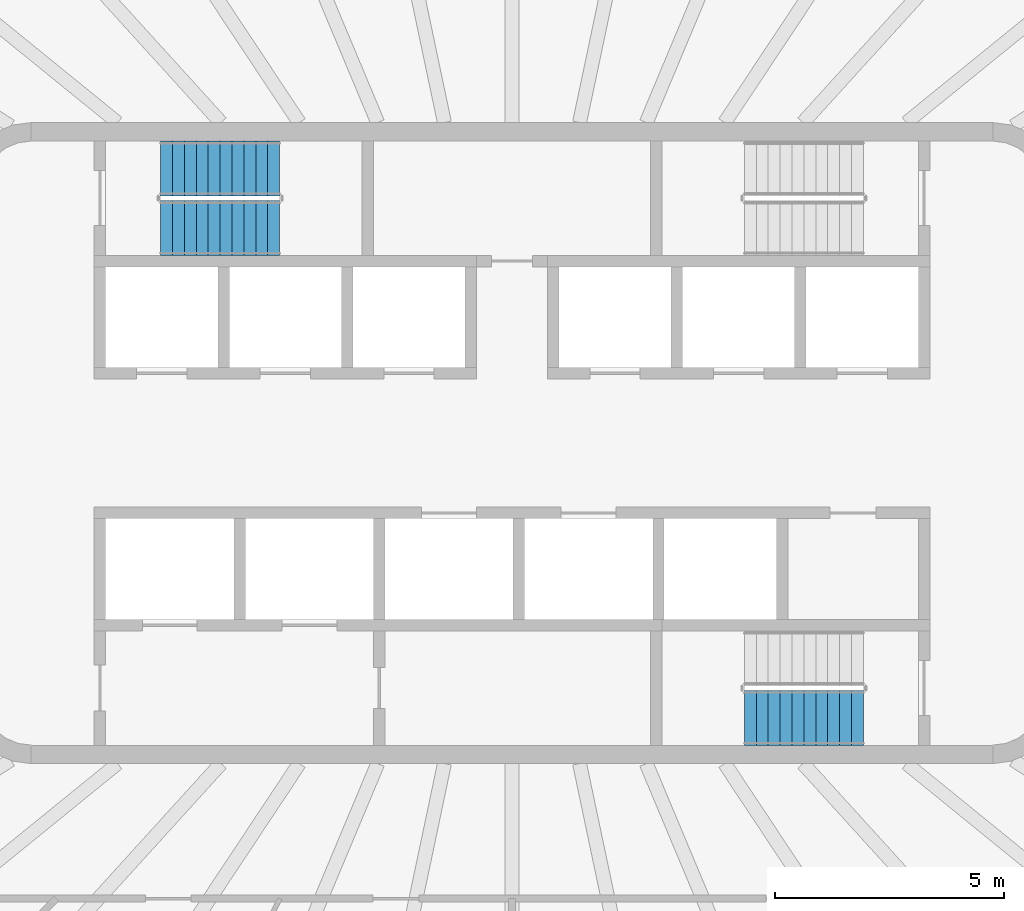
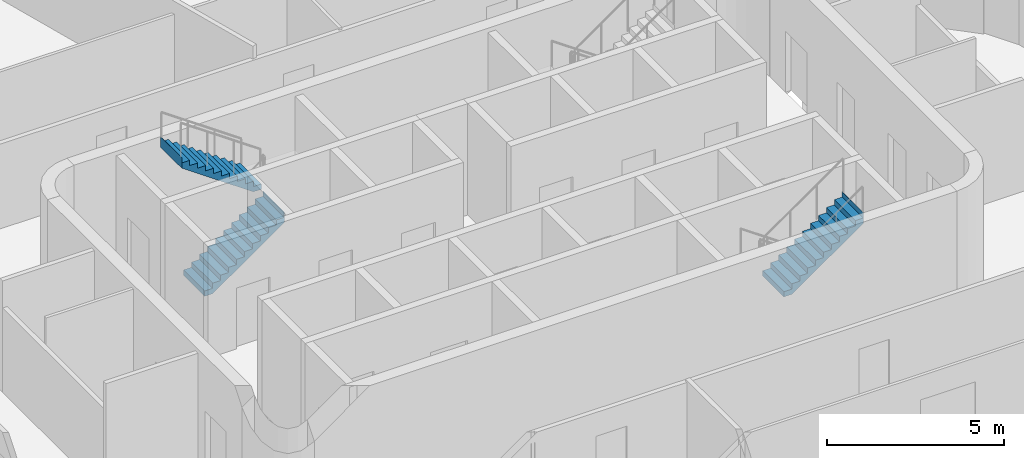
# One storey, part 15 of 22: 3 stair flights, 2 elements without a shape of their own.
"""IFC4 building model written with IfcOpenShell, lengths in metres."""

from ifc_helpers import new_model, si_unit, direction, frame, origin, place, context, subcontext, project, spatial, triangles, material, type_object, element, aggregate, save


model = new_model("IFC4")

# Units and contexts
model_context = context("Model", 3, precision=1e-05, world=origin(), true_north=direction((0.0, 1.0)))
body_context = subcontext(model_context, "Body", "Model", "MODEL_VIEW")
ifc_project = project(units=[si_unit("LENGTHUNIT", "METRE"), si_unit("AREAUNIT", "SQUARE_METRE"), si_unit("VOLUMEUNIT", "CUBIC_METRE"), si_unit("PLANEANGLEUNIT", "RADIAN"), si_unit("MASSUNIT", "GRAM", prefix="KILO")], contexts=[model_context])

# Site, building, storey
site_placement = place(None, origin())
site = spatial("IfcSite", under=ifc_project, at=site_placement, CompositionType="ELEMENT")
building_placement = place(site_placement, origin())
building = spatial("IfcBuilding", under=site, at=building_placement, Name="Sahrelin Media Tower", CompositionType="ELEMENT")
storey_placement = place(building_placement, frame((0.0, 0.0, 283.0)))
storey = spatial("IfcBuildingStorey", under=building, at=storey_placement, Name="L62", CompositionType="ELEMENT", Elevation=283.0)

# Stair, stair flights
ifc_material = material(Name="Concrete C40/50", Category="concrete")
stair_type = type_object("IfcStairType", Name="Exit stair 1200", PredefinedType="HALF_TURN_STAIR", material=ifc_material)
placement = place(storey_placement, origin())
stair_1 = element("IfcStair", 1, at=placement, inside=storey, type_object=stair_type, Name="L62 Exit stair ST1", PredefinedType="HALF_TURN_STAIR")
stair_flight_type = type_object("IfcStairFlightType", Name="Stair flight 1200", PredefinedType="STRAIGHT", material=ifc_material)
stair_flight_1_placement = place(storey_placement, frame((-7.675048828125, 4.699951171875, 0.0), z_axis=(0.0, 0.0, 1.0), x_axis=(1.0, 0.0, 0.0)))
stair_flight_1 = element("IfcStairFlight", 2, at=stair_flight_1_placement, type_object=stair_flight_type, Name="ST1 flight 1", NumberOfRisers=11, NumberOfTreads=10, PredefinedType="STRAIGHT", RiserHeight=0.181818182, TreadLength=0.26, context=body_context, shape_type="Tessellation", body=[
    triangles([(0.261474609375, 0.60009765625, 0.0), (0.261474609375, 0.300048828125, 0.0), (0.261474609375, 0.0, 0.0), (0.261474609375, -0.300048828125, 0.0), (0.261474609375, -0.60009765625, 0.0), (2.60009765625, 0.60009765625, 1.63525390625), (2.60009765625, 0.300048828125, 1.63525390625), (2.60009765625, 0.0, 1.63525390625), (2.60009765625, -0.300048828125, 1.63525390625), (2.60009765625, -0.60009765625, 1.63525390625), (2.60009765625, 0.60009765625, 2.0), (2.60009765625, 0.300048828125, 2.0), (2.60009765625, 0.0, 2.0), (2.60009765625, -0.300048828125, 2.0), (2.60009765625, -0.60009765625, 2.0), (2.597900390625, 0.60009765625, 2.0), (2.597900390625, 0.300048828125, 2.0), (2.597900390625, 0.0, 2.0), (2.597900390625, -0.300048828125, 2.0), (2.597900390625, -0.60009765625, 2.0), (2.597900390625, 0.60009765625, 1.818115234375), (2.597900390625, 0.300048828125, 1.818115234375), (2.597900390625, 0.0, 1.818115234375), (2.597900390625, -0.300048828125, 1.818115234375), (2.597900390625, -0.60009765625, 1.818115234375), (2.340087890625, 0.60009765625, 1.818115234375), (2.340087890625, 0.300048828125, 1.818115234375), (2.340087890625, 0.0, 1.818115234375), (2.340087890625, -0.300048828125, 1.818115234375), (2.340087890625, -0.60009765625, 1.818115234375), (2.340087890625, 0.60009765625, 1.636474609375), (2.340087890625, 0.300048828125, 1.636474609375), (2.340087890625, 0.0, 1.636474609375), (2.340087890625, -0.300048828125, 1.636474609375), (2.340087890625, -0.60009765625, 1.636474609375), (2.080078125, 0.60009765625, 1.636474609375), (2.080078125, 0.300048828125, 1.636474609375), (2.080078125, 0.0, 1.636474609375), (2.080078125, -0.300048828125, 1.636474609375), (2.080078125, -0.60009765625, 1.636474609375), (2.080078125, 0.60009765625, 1.45458984375), (2.080078125, 0.300048828125, 1.45458984375), (2.080078125, 0.0, 1.45458984375), (2.080078125, -0.300048828125, 1.45458984375), (2.080078125, -0.60009765625, 1.45458984375), (1.820068359375, 0.60009765625, 1.45458984375), (1.820068359375, 0.300048828125, 1.45458984375), (1.820068359375, 0.0, 1.45458984375), (1.820068359375, -0.300048828125, 1.45458984375), (1.820068359375, -0.60009765625, 1.45458984375), (1.820068359375, 0.60009765625, 1.272705078125), (1.820068359375, 0.300048828125, 1.272705078125), (1.820068359375, 0.0, 1.272705078125), (1.820068359375, -0.300048828125, 1.272705078125), (1.820068359375, -0.60009765625, 1.272705078125), (1.56005859375, 0.60009765625, 1.272705078125), (1.56005859375, 0.300048828125, 1.272705078125), (1.56005859375, 0.0, 1.272705078125), (1.56005859375, -0.300048828125, 1.272705078125), (1.56005859375, -0.60009765625, 1.272705078125), (1.56005859375, 0.60009765625, 1.0908203125), (1.56005859375, 0.300048828125, 1.0908203125), (1.56005859375, 0.0, 1.0908203125), (1.56005859375, -0.300048828125, 1.0908203125), (1.56005859375, -0.60009765625, 1.0908203125), (1.300048828125, 0.60009765625, 1.0908203125), (1.300048828125, 0.300048828125, 1.0908203125), (1.300048828125, 0.0, 1.0908203125), (1.300048828125, -0.300048828125, 1.0908203125), (1.300048828125, -0.60009765625, 1.0908203125), (1.300048828125, 0.60009765625, 0.9091796875), (1.300048828125, 0.300048828125, 0.9091796875), (1.300048828125, 0.0, 0.9091796875), (1.300048828125, -0.300048828125, 0.9091796875), (1.300048828125, -0.60009765625, 0.9091796875), (1.0400390625, 0.60009765625, 0.9091796875), (1.0400390625, 0.300048828125, 0.9091796875), (1.0400390625, 0.0, 0.9091796875), (1.0400390625, -0.300048828125, 0.9091796875), (1.0400390625, -0.60009765625, 0.9091796875), (1.0400390625, 0.60009765625, 0.727294921875), (1.0400390625, 0.300048828125, 0.727294921875), (1.0400390625, 0.0, 0.727294921875), (1.0400390625, -0.300048828125, 0.727294921875), (1.0400390625, -0.60009765625, 0.727294921875), (0.780029296875, 0.60009765625, 0.727294921875), (0.780029296875, 0.300048828125, 0.727294921875), (0.780029296875, 0.0, 0.727294921875), (0.780029296875, -0.300048828125, 0.727294921875), (0.780029296875, -0.60009765625, 0.727294921875), (0.780029296875, 0.60009765625, 0.54541015625), (0.780029296875, 0.300048828125, 0.54541015625), (0.780029296875, 0.0, 0.54541015625), (0.780029296875, -0.300048828125, 0.54541015625), (0.780029296875, -0.60009765625, 0.54541015625), (0.52001953125, 0.60009765625, 0.54541015625), (0.52001953125, 0.300048828125, 0.54541015625), (0.52001953125, 0.0, 0.54541015625), (0.52001953125, -0.300048828125, 0.54541015625), (0.52001953125, -0.60009765625, 0.54541015625), (0.52001953125, 0.60009765625, 0.363525390625), (0.52001953125, 0.300048828125, 0.363525390625), (0.52001953125, 0.0, 0.363525390625), (0.52001953125, -0.300048828125, 0.363525390625), (0.52001953125, -0.60009765625, 0.363525390625), (0.260009765625, 0.60009765625, 0.363525390625), (0.260009765625, 0.300048828125, 0.363525390625), (0.260009765625, 0.0, 0.363525390625), (0.260009765625, -0.300048828125, 0.363525390625), (0.260009765625, -0.60009765625, 0.363525390625), (0.260009765625, 0.60009765625, 0.181884765625), (0.260009765625, 0.300048828125, 0.181884765625), (0.260009765625, 0.0, 0.181884765625), (0.260009765625, -0.300048828125, 0.181884765625), (0.260009765625, -0.60009765625, 0.181884765625), (0.0, 0.60009765625, 0.181884765625), (0.0, 0.300048828125, 0.181884765625), (0.0, 0.0, 0.181884765625), (0.0, -0.300048828125, 0.181884765625), (0.0, -0.60009765625, 0.181884765625), (0.0, 0.60009765625, 0.0), (0.0, 0.300048828125, 0.0), (0.0, 0.0, 0.0), (0.0, -0.300048828125, 0.0), (0.0, -0.60009765625, 0.0)], [[1, 6, 7], [1, 7, 2], [2, 7, 8], [2, 8, 3], [3, 8, 9], [3, 9, 4], [4, 9, 10], [4, 10, 5], [6, 11, 12], [6, 12, 7], [7, 12, 13], [7, 13, 8], [8, 13, 14], [8, 14, 9], [9, 14, 15], [9, 15, 10], [11, 16, 17], [11, 17, 12], [12, 17, 18], [12, 18, 13], [13, 18, 19], [13, 19, 14], [14, 19, 20], [14, 20, 15], [16, 21, 22], [16, 22, 17], [17, 22, 23], [17, 23, 18], [18, 23, 24], [18, 24, 19], [19, 24, 25], [19, 25, 20], [21, 26, 27], [21, 27, 22], [22, 27, 28], [22, 28, 23], [23, 28, 29], [23, 29, 24], [24, 29, 30], [24, 30, 25], [26, 31, 32], [26, 32, 27], [27, 32, 33], [27, 33, 28], [28, 33, 34], [28, 34, 29], [29, 34, 35], [29, 35, 30], [31, 36, 37], [31, 37, 32], [32, 37, 38], [32, 38, 33], [33, 38, 39], [33, 39, 34], [34, 39, 40], [34, 40, 35], [36, 41, 42], [36, 42, 37], [37, 42, 43], [37, 43, 38], [38, 43, 44], [38, 44, 39], [39, 44, 45], [39, 45, 40], [41, 46, 47], [41, 47, 42], [42, 47, 48], [42, 48, 43], [43, 48, 49], [43, 49, 44], [44, 49, 50], [44, 50, 45], [46, 51, 52], [46, 52, 47], [47, 52, 53], [47, 53, 48], [48, 53, 54], [48, 54, 49], [49, 54, 55], [49, 55, 50], [51, 56, 57], [51, 57, 52], [52, 57, 58], [52, 58, 53], [53, 58, 59], [53, 59, 54], [54, 59, 60], [54, 60, 55], [56, 61, 62], [56, 62, 57], [57, 62, 63], [57, 63, 58], [58, 63, 64], [58, 64, 59], [59, 64, 65], [59, 65, 60], [61, 66, 67], [61, 67, 62], [62, 67, 68], [62, 68, 63], [63, 68, 69], [63, 69, 64], [64, 69, 70], [64, 70, 65], [66, 71, 72], [66, 72, 67], [67, 72, 73], [67, 73, 68], [68, 73, 74], [68, 74, 69], [69, 74, 75], [69, 75, 70], [71, 76, 77], [71, 77, 72], [72, 77, 78], [72, 78, 73], [73, 78, 79], [73, 79, 74], [74, 79, 80], [74, 80, 75], [76, 81, 82], [76, 82, 77], [77, 82, 83], [77, 83, 78], [78, 83, 84], [78, 84, 79], [79, 84, 85], [79, 85, 80], [81, 86, 87], [81, 87, 82], [82, 87, 88], [82, 88, 83], [83, 88, 89], [83, 89, 84], [84, 89, 90], [84, 90, 85], [86, 91, 92], [86, 92, 87], [87, 92, 93], [87, 93, 88], [88, 93, 94], [88, 94, 89], [89, 94, 95], [89, 95, 90], [91, 96, 97], [91, 97, 92], [92, 97, 98], [92, 98, 93], [93, 98, 99], [93, 99, 94], [94, 99, 100], [94, 100, 95], [96, 101, 102], [96, 102, 97], [97, 102, 103], [97, 103, 98], [98, 103, 104], [98, 104, 99], [99, 104, 105], [99, 105, 100], [101, 106, 107], [101, 107, 102], [102, 107, 108], [102, 108, 103], [103, 108, 109], [103, 109, 104], [104, 109, 110], [104, 110, 105], [106, 111, 112], [106, 112, 107], [107, 112, 113], [107, 113, 108], [108, 113, 114], [108, 114, 109], [109, 114, 115], [109, 115, 110], [111, 116, 117], [111, 117, 112], [112, 117, 118], [112, 118, 113], [113, 118, 119], [113, 119, 114], [114, 119, 120], [114, 120, 115], [116, 121, 122], [116, 122, 117], [117, 122, 123], [117, 123, 118], [118, 123, 124], [118, 124, 119], [119, 124, 125], [119, 125, 120], [121, 1, 2], [121, 2, 122], [122, 2, 3], [122, 3, 123], [123, 3, 4], [123, 4, 124], [124, 4, 5], [124, 5, 125], [115, 120, 125], [111, 121, 116], [115, 105, 110], [111, 106, 101], [105, 95, 100], [101, 96, 91], [95, 85, 90], [91, 86, 81], [85, 75, 80], [81, 76, 71], [75, 65, 70], [71, 66, 61], [65, 55, 60], [61, 56, 51], [55, 45, 50], [51, 46, 41], [45, 35, 40], [41, 36, 31], [35, 25, 30], [31, 26, 21], [25, 15, 20], [21, 16, 11], [125, 5, 115], [121, 111, 1], [25, 10, 15], [21, 11, 6], [105, 115, 5], [101, 1, 111], [35, 10, 25], [31, 21, 6], [95, 105, 5], [91, 1, 101], [45, 10, 35], [41, 31, 6], [85, 95, 5], [81, 1, 91], [55, 10, 45], [51, 41, 6], [75, 85, 5], [71, 1, 81], [65, 10, 55], [61, 51, 6], [5, 10, 75], [1, 71, 6], [75, 10, 65], [71, 61, 6]], closed=True),
])
stair_flight_2_placement = place(storey_placement, frame((-5.074951171875, 6.0, 2.0), z_axis=(0.0, 0.0, 1.0), x_axis=(-1.0, 0.0, 0.0)))
stair_flight_2 = element("IfcStairFlight", 3, at=stair_flight_2_placement, type_object=stair_flight_type, Name="ST1 flight 2", NumberOfRisers=11, NumberOfTreads=10, PredefinedType="STRAIGHT", RiserHeight=0.181818182, TreadLength=0.26, context=body_context, shape_type="Tessellation", body=[
    triangles([(0.261474609375, 0.60009765625, 0.0), (0.261474609375, 0.300048828125, 0.0), (0.261474609375, 0.0, 0.0), (0.261474609375, -0.300048828125, 0.0), (0.261474609375, -0.60009765625, 0.0), (2.60009765625, 0.60009765625, 1.63525390625), (2.60009765625, 0.300048828125, 1.63525390625), (2.60009765625, 0.0, 1.63525390625), (2.60009765625, -0.300048828125, 1.63525390625), (2.60009765625, -0.60009765625, 1.63525390625), (2.60009765625, 0.60009765625, 2.0), (2.60009765625, 0.300048828125, 2.0), (2.60009765625, 0.0, 2.0), (2.60009765625, -0.300048828125, 2.0), (2.60009765625, -0.60009765625, 2.0), (2.597900390625, 0.60009765625, 2.0), (2.597900390625, 0.300048828125, 2.0), (2.597900390625, 0.0, 2.0), (2.597900390625, -0.300048828125, 2.0), (2.597900390625, -0.60009765625, 2.0), (2.597900390625, 0.60009765625, 1.818115234375), (2.597900390625, 0.300048828125, 1.818115234375), (2.597900390625, 0.0, 1.818115234375), (2.597900390625, -0.300048828125, 1.818115234375), (2.597900390625, -0.60009765625, 1.818115234375), (2.340087890625, 0.60009765625, 1.818115234375), (2.340087890625, 0.300048828125, 1.818115234375), (2.340087890625, 0.0, 1.818115234375), (2.340087890625, -0.300048828125, 1.818115234375), (2.340087890625, -0.60009765625, 1.818115234375), (2.340087890625, 0.60009765625, 1.636474609375), (2.340087890625, 0.300048828125, 1.636474609375), (2.340087890625, 0.0, 1.636474609375), (2.340087890625, -0.300048828125, 1.636474609375), (2.340087890625, -0.60009765625, 1.636474609375), (2.080078125, 0.60009765625, 1.636474609375), (2.080078125, 0.300048828125, 1.636474609375), (2.080078125, 0.0, 1.636474609375), (2.080078125, -0.300048828125, 1.636474609375), (2.080078125, -0.60009765625, 1.636474609375), (2.080078125, 0.60009765625, 1.45458984375), (2.080078125, 0.300048828125, 1.45458984375), (2.080078125, 0.0, 1.45458984375), (2.080078125, -0.300048828125, 1.45458984375), (2.080078125, -0.60009765625, 1.45458984375), (1.820068359375, 0.60009765625, 1.45458984375), (1.820068359375, 0.300048828125, 1.45458984375), (1.820068359375, 0.0, 1.45458984375), (1.820068359375, -0.300048828125, 1.45458984375), (1.820068359375, -0.60009765625, 1.45458984375), (1.820068359375, 0.60009765625, 1.272705078125), (1.820068359375, 0.300048828125, 1.272705078125), (1.820068359375, 0.0, 1.272705078125), (1.820068359375, -0.300048828125, 1.272705078125), (1.820068359375, -0.60009765625, 1.272705078125), (1.56005859375, 0.60009765625, 1.272705078125), (1.56005859375, 0.300048828125, 1.272705078125), (1.56005859375, 0.0, 1.272705078125), (1.56005859375, -0.300048828125, 1.272705078125), (1.56005859375, -0.60009765625, 1.272705078125), (1.56005859375, 0.60009765625, 1.0908203125), (1.56005859375, 0.300048828125, 1.0908203125), (1.56005859375, 0.0, 1.0908203125), (1.56005859375, -0.300048828125, 1.0908203125), (1.56005859375, -0.60009765625, 1.0908203125), (1.300048828125, 0.60009765625, 1.0908203125), (1.300048828125, 0.300048828125, 1.0908203125), (1.300048828125, 0.0, 1.0908203125), (1.300048828125, -0.300048828125, 1.0908203125), (1.300048828125, -0.60009765625, 1.0908203125), (1.300048828125, 0.60009765625, 0.9091796875), (1.300048828125, 0.300048828125, 0.9091796875), (1.300048828125, 0.0, 0.9091796875), (1.300048828125, -0.300048828125, 0.9091796875), (1.300048828125, -0.60009765625, 0.9091796875), (1.0400390625, 0.60009765625, 0.9091796875), (1.0400390625, 0.300048828125, 0.9091796875), (1.0400390625, 0.0, 0.9091796875), (1.0400390625, -0.300048828125, 0.9091796875), (1.0400390625, -0.60009765625, 0.9091796875), (1.0400390625, 0.60009765625, 0.727294921875), (1.0400390625, 0.300048828125, 0.727294921875), (1.0400390625, 0.0, 0.727294921875), (1.0400390625, -0.300048828125, 0.727294921875), (1.0400390625, -0.60009765625, 0.727294921875), (0.780029296875, 0.60009765625, 0.727294921875), (0.780029296875, 0.300048828125, 0.727294921875), (0.780029296875, 0.0, 0.727294921875), (0.780029296875, -0.300048828125, 0.727294921875), (0.780029296875, -0.60009765625, 0.727294921875), (0.780029296875, 0.60009765625, 0.54541015625), (0.780029296875, 0.300048828125, 0.54541015625), (0.780029296875, 0.0, 0.54541015625), (0.780029296875, -0.300048828125, 0.54541015625), (0.780029296875, -0.60009765625, 0.54541015625), (0.52001953125, 0.60009765625, 0.54541015625), (0.52001953125, 0.300048828125, 0.54541015625), (0.52001953125, 0.0, 0.54541015625), (0.52001953125, -0.300048828125, 0.54541015625), (0.52001953125, -0.60009765625, 0.54541015625), (0.52001953125, 0.60009765625, 0.363525390625), (0.52001953125, 0.300048828125, 0.363525390625), (0.52001953125, 0.0, 0.363525390625), (0.52001953125, -0.300048828125, 0.363525390625), (0.52001953125, -0.60009765625, 0.363525390625), (0.260009765625, 0.60009765625, 0.363525390625), (0.260009765625, 0.300048828125, 0.363525390625), (0.260009765625, 0.0, 0.363525390625), (0.260009765625, -0.300048828125, 0.363525390625), (0.260009765625, -0.60009765625, 0.363525390625), (0.260009765625, 0.60009765625, 0.181884765625), (0.260009765625, 0.300048828125, 0.181884765625), (0.260009765625, 0.0, 0.181884765625), (0.260009765625, -0.300048828125, 0.181884765625), (0.260009765625, -0.60009765625, 0.181884765625), (0.0, 0.60009765625, 0.181884765625), (0.0, 0.300048828125, 0.181884765625), (0.0, 0.0, 0.181884765625), (0.0, -0.300048828125, 0.181884765625), (0.0, -0.60009765625, 0.181884765625), (0.0, 0.60009765625, 0.0), (0.0, 0.300048828125, 0.0), (0.0, 0.0, 0.0), (0.0, -0.300048828125, 0.0), (0.0, -0.60009765625, 0.0)], [[1, 6, 7], [1, 7, 2], [2, 7, 8], [2, 8, 3], [3, 8, 9], [3, 9, 4], [4, 9, 10], [4, 10, 5], [6, 11, 12], [6, 12, 7], [7, 12, 13], [7, 13, 8], [8, 13, 14], [8, 14, 9], [9, 14, 15], [9, 15, 10], [11, 16, 17], [11, 17, 12], [12, 17, 18], [12, 18, 13], [13, 18, 19], [13, 19, 14], [14, 19, 20], [14, 20, 15], [16, 21, 22], [16, 22, 17], [17, 22, 23], [17, 23, 18], [18, 23, 24], [18, 24, 19], [19, 24, 25], [19, 25, 20], [21, 26, 27], [21, 27, 22], [22, 27, 28], [22, 28, 23], [23, 28, 29], [23, 29, 24], [24, 29, 30], [24, 30, 25], [26, 31, 32], [26, 32, 27], [27, 32, 33], [27, 33, 28], [28, 33, 34], [28, 34, 29], [29, 34, 35], [29, 35, 30], [31, 36, 37], [31, 37, 32], [32, 37, 38], [32, 38, 33], [33, 38, 39], [33, 39, 34], [34, 39, 40], [34, 40, 35], [36, 41, 42], [36, 42, 37], [37, 42, 43], [37, 43, 38], [38, 43, 44], [38, 44, 39], [39, 44, 45], [39, 45, 40], [41, 46, 47], [41, 47, 42], [42, 47, 48], [42, 48, 43], [43, 48, 49], [43, 49, 44], [44, 49, 50], [44, 50, 45], [46, 51, 52], [46, 52, 47], [47, 52, 53], [47, 53, 48], [48, 53, 54], [48, 54, 49], [49, 54, 55], [49, 55, 50], [51, 56, 57], [51, 57, 52], [52, 57, 58], [52, 58, 53], [53, 58, 59], [53, 59, 54], [54, 59, 60], [54, 60, 55], [56, 61, 62], [56, 62, 57], [57, 62, 63], [57, 63, 58], [58, 63, 64], [58, 64, 59], [59, 64, 65], [59, 65, 60], [61, 66, 67], [61, 67, 62], [62, 67, 68], [62, 68, 63], [63, 68, 69], [63, 69, 64], [64, 69, 70], [64, 70, 65], [66, 71, 72], [66, 72, 67], [67, 72, 73], [67, 73, 68], [68, 73, 74], [68, 74, 69], [69, 74, 75], [69, 75, 70], [71, 76, 77], [71, 77, 72], [72, 77, 78], [72, 78, 73], [73, 78, 79], [73, 79, 74], [74, 79, 80], [74, 80, 75], [76, 81, 82], [76, 82, 77], [77, 82, 83], [77, 83, 78], [78, 83, 84], [78, 84, 79], [79, 84, 85], [79, 85, 80], [81, 86, 87], [81, 87, 82], [82, 87, 88], [82, 88, 83], [83, 88, 89], [83, 89, 84], [84, 89, 90], [84, 90, 85], [86, 91, 92], [86, 92, 87], [87, 92, 93], [87, 93, 88], [88, 93, 94], [88, 94, 89], [89, 94, 95], [89, 95, 90], [91, 96, 97], [91, 97, 92], [92, 97, 98], [92, 98, 93], [93, 98, 99], [93, 99, 94], [94, 99, 100], [94, 100, 95], [96, 101, 102], [96, 102, 97], [97, 102, 103], [97, 103, 98], [98, 103, 104], [98, 104, 99], [99, 104, 105], [99, 105, 100], [101, 106, 107], [101, 107, 102], [102, 107, 108], [102, 108, 103], [103, 108, 109], [103, 109, 104], [104, 109, 110], [104, 110, 105], [106, 111, 112], [106, 112, 107], [107, 112, 113], [107, 113, 108], [108, 113, 114], [108, 114, 109], [109, 114, 115], [109, 115, 110], [111, 116, 117], [111, 117, 112], [112, 117, 118], [112, 118, 113], [113, 118, 119], [113, 119, 114], [114, 119, 120], [114, 120, 115], [116, 121, 122], [116, 122, 117], [117, 122, 123], [117, 123, 118], [118, 123, 124], [118, 124, 119], [119, 124, 125], [119, 125, 120], [121, 1, 2], [121, 2, 122], [122, 2, 3], [122, 3, 123], [123, 3, 4], [123, 4, 124], [124, 4, 5], [124, 5, 125], [115, 120, 125], [111, 121, 116], [115, 105, 110], [111, 106, 101], [105, 95, 100], [101, 96, 91], [95, 85, 90], [91, 86, 81], [85, 75, 80], [81, 76, 71], [75, 65, 70], [71, 66, 61], [65, 55, 60], [61, 56, 51], [55, 45, 50], [51, 46, 41], [45, 35, 40], [41, 36, 31], [35, 25, 30], [31, 26, 21], [25, 15, 20], [21, 16, 11], [125, 5, 115], [121, 111, 1], [25, 10, 15], [21, 11, 6], [105, 115, 5], [101, 1, 111], [35, 10, 25], [31, 21, 6], [95, 105, 5], [91, 1, 101], [45, 10, 35], [41, 31, 6], [85, 95, 5], [81, 1, 91], [55, 10, 45], [51, 41, 6], [75, 85, 5], [71, 1, 81], [65, 10, 55], [61, 51, 6], [5, 10, 75], [1, 71, 6], [75, 10, 65], [71, 61, 6]], closed=True),
])
aggregate(stair_1, [stair_flight_1, stair_flight_2])

# Stair, stair flight
stair_2 = element("IfcStair", 4, at=placement, inside=storey, type_object=stair_type, Name="L62 Exit stair ST2", PredefinedType="HALF_TURN_STAIR")
stair_flight_3_placement = place(storey_placement, frame((5.074951171875, -6.0, 2.0), z_axis=(0.0, 0.0, 1.0), x_axis=(1.0, 0.0, 0.0)))
stair_flight_3 = element("IfcStairFlight", 5, at=stair_flight_3_placement, type_object=stair_flight_type, Name="ST2 flight 2", NumberOfRisers=11, NumberOfTreads=10, PredefinedType="STRAIGHT", RiserHeight=0.181818182, TreadLength=0.26, context=body_context, shape_type="Tessellation", body=[
    triangles([(0.261474609375, 0.60009765625, 0.0), (0.261474609375, 0.300048828125, 0.0), (0.261474609375, 0.0, 0.0), (0.261474609375, -0.300048828125, 0.0), (0.261474609375, -0.60009765625, 0.0), (2.60009765625, 0.60009765625, 1.63525390625), (2.60009765625, 0.300048828125, 1.63525390625), (2.60009765625, 0.0, 1.63525390625), (2.60009765625, -0.300048828125, 1.63525390625), (2.60009765625, -0.60009765625, 1.63525390625), (2.60009765625, 0.60009765625, 2.0), (2.60009765625, 0.300048828125, 2.0), (2.60009765625, 0.0, 2.0), (2.60009765625, -0.300048828125, 2.0), (2.60009765625, -0.60009765625, 2.0), (2.597900390625, 0.60009765625, 2.0), (2.597900390625, 0.300048828125, 2.0), (2.597900390625, 0.0, 2.0), (2.597900390625, -0.300048828125, 2.0), (2.597900390625, -0.60009765625, 2.0), (2.597900390625, 0.60009765625, 1.818115234375), (2.597900390625, 0.300048828125, 1.818115234375), (2.597900390625, 0.0, 1.818115234375), (2.597900390625, -0.300048828125, 1.818115234375), (2.597900390625, -0.60009765625, 1.818115234375), (2.340087890625, 0.60009765625, 1.818115234375), (2.340087890625, 0.300048828125, 1.818115234375), (2.340087890625, 0.0, 1.818115234375), (2.340087890625, -0.300048828125, 1.818115234375), (2.340087890625, -0.60009765625, 1.818115234375), (2.340087890625, 0.60009765625, 1.636474609375), (2.340087890625, 0.300048828125, 1.636474609375), (2.340087890625, 0.0, 1.636474609375), (2.340087890625, -0.300048828125, 1.636474609375), (2.340087890625, -0.60009765625, 1.636474609375), (2.080078125, 0.60009765625, 1.636474609375), (2.080078125, 0.300048828125, 1.636474609375), (2.080078125, 0.0, 1.636474609375), (2.080078125, -0.300048828125, 1.636474609375), (2.080078125, -0.60009765625, 1.636474609375), (2.080078125, 0.60009765625, 1.45458984375), (2.080078125, 0.300048828125, 1.45458984375), (2.080078125, 0.0, 1.45458984375), (2.080078125, -0.300048828125, 1.45458984375), (2.080078125, -0.60009765625, 1.45458984375), (1.820068359375, 0.60009765625, 1.45458984375), (1.820068359375, 0.300048828125, 1.45458984375), (1.820068359375, 0.0, 1.45458984375), (1.820068359375, -0.300048828125, 1.45458984375), (1.820068359375, -0.60009765625, 1.45458984375), (1.820068359375, 0.60009765625, 1.272705078125), (1.820068359375, 0.300048828125, 1.272705078125), (1.820068359375, 0.0, 1.272705078125), (1.820068359375, -0.300048828125, 1.272705078125), (1.820068359375, -0.60009765625, 1.272705078125), (1.56005859375, 0.60009765625, 1.272705078125), (1.56005859375, 0.300048828125, 1.272705078125), (1.56005859375, 0.0, 1.272705078125), (1.56005859375, -0.300048828125, 1.272705078125), (1.56005859375, -0.60009765625, 1.272705078125), (1.56005859375, 0.60009765625, 1.0908203125), (1.56005859375, 0.300048828125, 1.0908203125), (1.56005859375, 0.0, 1.0908203125), (1.56005859375, -0.300048828125, 1.0908203125), (1.56005859375, -0.60009765625, 1.0908203125), (1.300048828125, 0.60009765625, 1.0908203125), (1.300048828125, 0.300048828125, 1.0908203125), (1.300048828125, 0.0, 1.0908203125), (1.300048828125, -0.300048828125, 1.0908203125), (1.300048828125, -0.60009765625, 1.0908203125), (1.300048828125, 0.60009765625, 0.9091796875), (1.300048828125, 0.300048828125, 0.9091796875), (1.300048828125, 0.0, 0.9091796875), (1.300048828125, -0.300048828125, 0.9091796875), (1.300048828125, -0.60009765625, 0.9091796875), (1.0400390625, 0.60009765625, 0.9091796875), (1.0400390625, 0.300048828125, 0.9091796875), (1.0400390625, 0.0, 0.9091796875), (1.0400390625, -0.300048828125, 0.9091796875), (1.0400390625, -0.60009765625, 0.9091796875), (1.0400390625, 0.60009765625, 0.727294921875), (1.0400390625, 0.300048828125, 0.727294921875), (1.0400390625, 0.0, 0.727294921875), (1.0400390625, -0.300048828125, 0.727294921875), (1.0400390625, -0.60009765625, 0.727294921875), (0.780029296875, 0.60009765625, 0.727294921875), (0.780029296875, 0.300048828125, 0.727294921875), (0.780029296875, 0.0, 0.727294921875), (0.780029296875, -0.300048828125, 0.727294921875), (0.780029296875, -0.60009765625, 0.727294921875), (0.780029296875, 0.60009765625, 0.54541015625), (0.780029296875, 0.300048828125, 0.54541015625), (0.780029296875, 0.0, 0.54541015625), (0.780029296875, -0.300048828125, 0.54541015625), (0.780029296875, -0.60009765625, 0.54541015625), (0.52001953125, 0.60009765625, 0.54541015625), (0.52001953125, 0.300048828125, 0.54541015625), (0.52001953125, 0.0, 0.54541015625), (0.52001953125, -0.300048828125, 0.54541015625), (0.52001953125, -0.60009765625, 0.54541015625), (0.52001953125, 0.60009765625, 0.363525390625), (0.52001953125, 0.300048828125, 0.363525390625), (0.52001953125, 0.0, 0.363525390625), (0.52001953125, -0.300048828125, 0.363525390625), (0.52001953125, -0.60009765625, 0.363525390625), (0.260009765625, 0.60009765625, 0.363525390625), (0.260009765625, 0.300048828125, 0.363525390625), (0.260009765625, 0.0, 0.363525390625), (0.260009765625, -0.300048828125, 0.363525390625), (0.260009765625, -0.60009765625, 0.363525390625), (0.260009765625, 0.60009765625, 0.181884765625), (0.260009765625, 0.300048828125, 0.181884765625), (0.260009765625, 0.0, 0.181884765625), (0.260009765625, -0.300048828125, 0.181884765625), (0.260009765625, -0.60009765625, 0.181884765625), (0.0, 0.60009765625, 0.181884765625), (0.0, 0.300048828125, 0.181884765625), (0.0, 0.0, 0.181884765625), (0.0, -0.300048828125, 0.181884765625), (0.0, -0.60009765625, 0.181884765625), (0.0, 0.60009765625, 0.0), (0.0, 0.300048828125, 0.0), (0.0, 0.0, 0.0), (0.0, -0.300048828125, 0.0), (0.0, -0.60009765625, 0.0)], [[1, 6, 7], [1, 7, 2], [2, 7, 8], [2, 8, 3], [3, 8, 9], [3, 9, 4], [4, 9, 10], [4, 10, 5], [6, 11, 12], [6, 12, 7], [7, 12, 13], [7, 13, 8], [8, 13, 14], [8, 14, 9], [9, 14, 15], [9, 15, 10], [11, 16, 17], [11, 17, 12], [12, 17, 18], [12, 18, 13], [13, 18, 19], [13, 19, 14], [14, 19, 20], [14, 20, 15], [16, 21, 22], [16, 22, 17], [17, 22, 23], [17, 23, 18], [18, 23, 24], [18, 24, 19], [19, 24, 25], [19, 25, 20], [21, 26, 27], [21, 27, 22], [22, 27, 28], [22, 28, 23], [23, 28, 29], [23, 29, 24], [24, 29, 30], [24, 30, 25], [26, 31, 32], [26, 32, 27], [27, 32, 33], [27, 33, 28], [28, 33, 34], [28, 34, 29], [29, 34, 35], [29, 35, 30], [31, 36, 37], [31, 37, 32], [32, 37, 38], [32, 38, 33], [33, 38, 39], [33, 39, 34], [34, 39, 40], [34, 40, 35], [36, 41, 42], [36, 42, 37], [37, 42, 43], [37, 43, 38], [38, 43, 44], [38, 44, 39], [39, 44, 45], [39, 45, 40], [41, 46, 47], [41, 47, 42], [42, 47, 48], [42, 48, 43], [43, 48, 49], [43, 49, 44], [44, 49, 50], [44, 50, 45], [46, 51, 52], [46, 52, 47], [47, 52, 53], [47, 53, 48], [48, 53, 54], [48, 54, 49], [49, 54, 55], [49, 55, 50], [51, 56, 57], [51, 57, 52], [52, 57, 58], [52, 58, 53], [53, 58, 59], [53, 59, 54], [54, 59, 60], [54, 60, 55], [56, 61, 62], [56, 62, 57], [57, 62, 63], [57, 63, 58], [58, 63, 64], [58, 64, 59], [59, 64, 65], [59, 65, 60], [61, 66, 67], [61, 67, 62], [62, 67, 68], [62, 68, 63], [63, 68, 69], [63, 69, 64], [64, 69, 70], [64, 70, 65], [66, 71, 72], [66, 72, 67], [67, 72, 73], [67, 73, 68], [68, 73, 74], [68, 74, 69], [69, 74, 75], [69, 75, 70], [71, 76, 77], [71, 77, 72], [72, 77, 78], [72, 78, 73], [73, 78, 79], [73, 79, 74], [74, 79, 80], [74, 80, 75], [76, 81, 82], [76, 82, 77], [77, 82, 83], [77, 83, 78], [78, 83, 84], [78, 84, 79], [79, 84, 85], [79, 85, 80], [81, 86, 87], [81, 87, 82], [82, 87, 88], [82, 88, 83], [83, 88, 89], [83, 89, 84], [84, 89, 90], [84, 90, 85], [86, 91, 92], [86, 92, 87], [87, 92, 93], [87, 93, 88], [88, 93, 94], [88, 94, 89], [89, 94, 95], [89, 95, 90], [91, 96, 97], [91, 97, 92], [92, 97, 98], [92, 98, 93], [93, 98, 99], [93, 99, 94], [94, 99, 100], [94, 100, 95], [96, 101, 102], [96, 102, 97], [97, 102, 103], [97, 103, 98], [98, 103, 104], [98, 104, 99], [99, 104, 105], [99, 105, 100], [101, 106, 107], [101, 107, 102], [102, 107, 108], [102, 108, 103], [103, 108, 109], [103, 109, 104], [104, 109, 110], [104, 110, 105], [106, 111, 112], [106, 112, 107], [107, 112, 113], [107, 113, 108], [108, 113, 114], [108, 114, 109], [109, 114, 115], [109, 115, 110], [111, 116, 117], [111, 117, 112], [112, 117, 118], [112, 118, 113], [113, 118, 119], [113, 119, 114], [114, 119, 120], [114, 120, 115], [116, 121, 122], [116, 122, 117], [117, 122, 123], [117, 123, 118], [118, 123, 124], [118, 124, 119], [119, 124, 125], [119, 125, 120], [121, 1, 2], [121, 2, 122], [122, 2, 3], [122, 3, 123], [123, 3, 4], [123, 4, 124], [124, 4, 5], [124, 5, 125], [115, 120, 125], [111, 121, 116], [115, 105, 110], [111, 106, 101], [105, 95, 100], [101, 96, 91], [95, 85, 90], [91, 86, 81], [85, 75, 80], [81, 76, 71], [75, 65, 70], [71, 66, 61], [65, 55, 60], [61, 56, 51], [55, 45, 50], [51, 46, 41], [45, 35, 40], [41, 36, 31], [35, 25, 30], [31, 26, 21], [25, 15, 20], [21, 16, 11], [125, 5, 115], [121, 111, 1], [25, 10, 15], [21, 11, 6], [105, 115, 5], [101, 1, 111], [35, 10, 25], [31, 21, 6], [95, 105, 5], [91, 1, 101], [45, 10, 35], [41, 31, 6], [85, 95, 5], [81, 1, 91], [55, 10, 45], [51, 41, 6], [75, 85, 5], [71, 1, 81], [65, 10, 55], [61, 51, 6], [5, 10, 75], [1, 71, 6], [75, 10, 65], [71, 61, 6]], closed=True),
])
aggregate(stair_2, [stair_flight_3])

save(model, "model.ifc")
